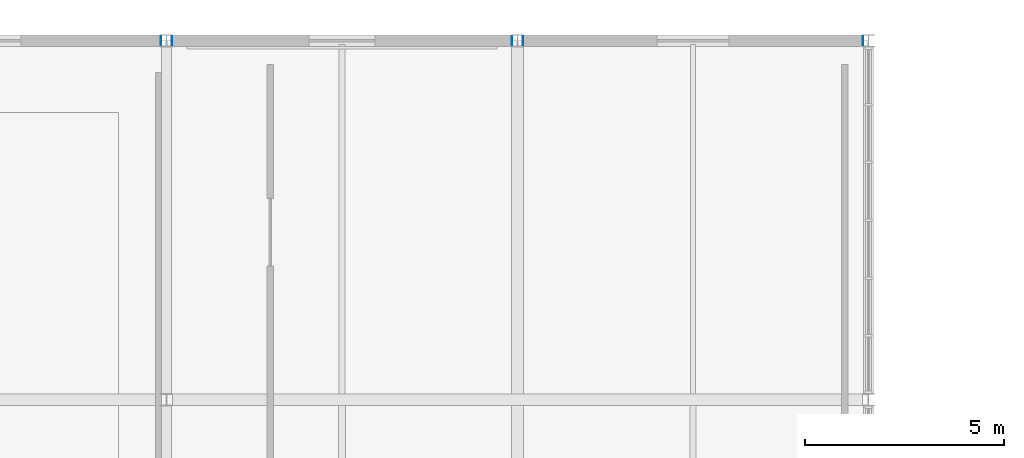
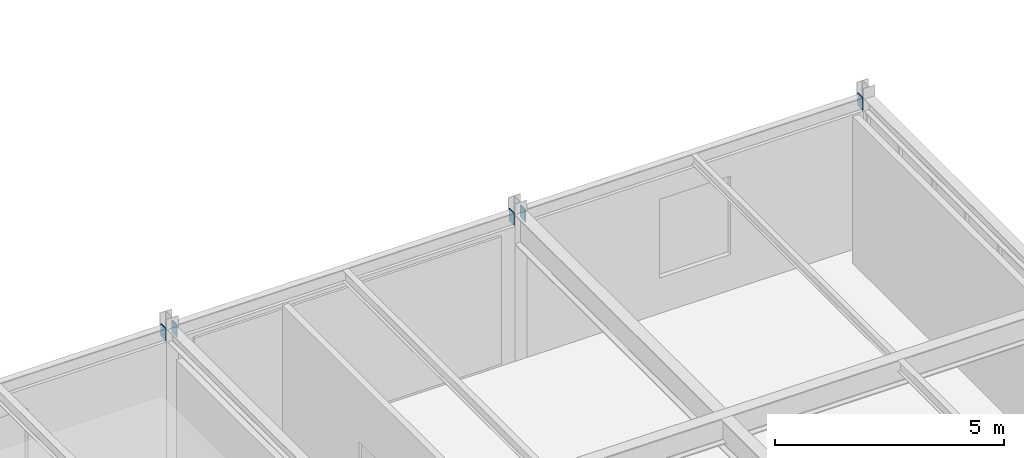
# One storey, part 65 of 88: 5 plates.
"""IFC4 building model written with IfcOpenShell, lengths in metres."""

from ifc_helpers import new_model, si_unit, direction, frame, origin, origin_2d, place, context, subcontext, project, spatial, rectangle, extrude, material, layer, layer_set, type_object, element, save


model = new_model("IFC4")

# Units and contexts
model_context = context("Model", 3, precision=1e-05, world=origin(), true_north=direction((0.0, 1.0)))
body_context = subcontext(model_context, "Body", "Model", "MODEL_VIEW")
ifc_project = project(units=[si_unit("LENGTHUNIT", "METRE"), si_unit("AREAUNIT", "SQUARE_METRE"), si_unit("VOLUMEUNIT", "CUBIC_METRE"), si_unit("PLANEANGLEUNIT", "RADIAN"), si_unit("MASSUNIT", "GRAM", prefix="KILO")], contexts=[model_context])

# Site, building, storey
site_placement = place(None, origin())
site = spatial("IfcSite", under=ifc_project, at=site_placement, CompositionType="ELEMENT")
building_placement = place(site_placement, origin())
building = spatial("IfcBuilding", under=site, at=building_placement, Name="Zhaolan Boulevard Law Courts", CompositionType="ELEMENT")
storey_placement = place(building_placement, frame((0.0, 0.0, 16.199951171875)))
storey = spatial("IfcBuildingStorey", under=building, at=storey_placement, Name="L03", CompositionType="ELEMENT", Elevation=16.199951171875)

# Plates
ifc_material = material(Name="Structural steel Q355B", Category="steel")
ifc_layer = layer(ifc_material, 0.02001953125)
ifc_layer_set = layer_set([ifc_layer])
plate_type = type_object("IfcPlateType", Name="END CAP PLATE 20", PredefinedType="SHEET", material=ifc_layer_set)
for number, where, z_axis, x_axis, name in (
    (1, (26.261962890625, 112.0, 3.60302734375), (0.0, 0.0, 1.0), (1.0, 0.0, 0.0), "Hollow Section End-Cap Plate ECP-0974"),
    (2, (26.5380859375, 112.0, 3.60302734375), (0.0, 0.0, 1.0), (1.0, 0.0, 0.0), "Hollow Section End-Cap Plate ECP-0975"),
    (3, (35.06201171875, 112.0, 3.60302734375), (0.0, 0.0, 1.0), (1.0, 0.0, 0.0), "Hollow Section End-Cap Plate ECP-0976"),
    (4, (35.337890625, 112.0, 3.60302734375), (0.0, 0.0, 1.0), (1.0, 0.0, 0.0), "Hollow Section End-Cap Plate ECP-0977"),
    (5, (43.862060546875, 112.0, 3.60302734375), (0.0, 0.0, 1.0), (1.0, 0.0, 0.0), "Hollow Section End-Cap Plate ECP-0978"),
):
    element("IfcPlate", number, at=place(storey_placement, frame(where, z_axis=z_axis, x_axis=x_axis)), inside=storey, type_object=plate_type, Name=name, PredefinedType="SHEET", context=body_context, shape_type="SweptSolid", body=[
        extrude(rectangle(XDim=0.02001953125, YDim=0.22998046875, at=origin_2d()), origin(), (0.0, 0.0, 1.0), 0.330078125),
    ])

save(model, "model.ifc")
